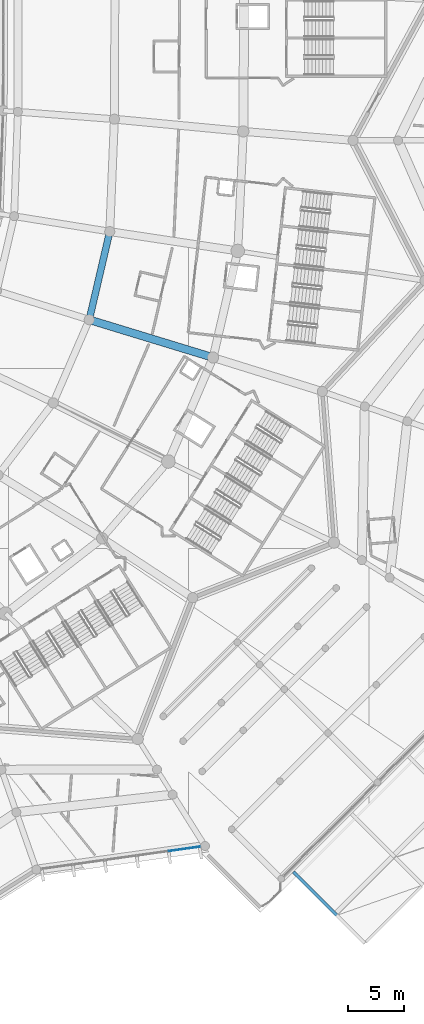
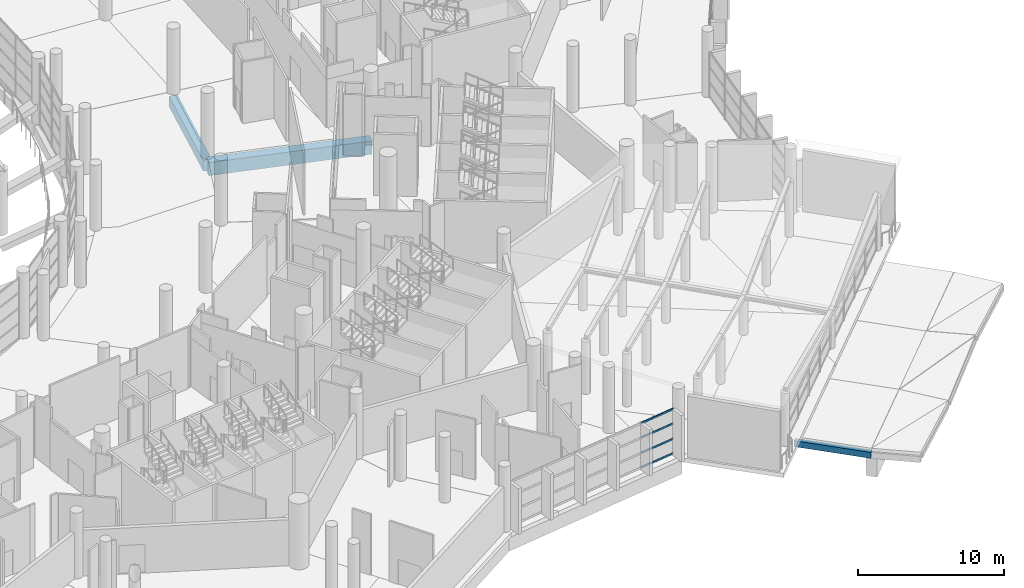
# One storey, part 49 of 271: 4 members, 3 beams, 1 element without a shape of its own.
"""IFC4 building model written with IfcOpenShell, lengths in metres."""

from ifc_helpers import new_model, si_unit, direction, frame, origin, origin_2d, place, context, subcontext, project, spatial, rectangle, hollow_rectangle, extrude, material, layer, layer_set, material_profile, profile_set, type_object, element, aggregate, save


model = new_model("IFC4")

# Units and contexts
model_context = context("Model", 3, precision=1e-05, world=origin(), true_north=direction((0.0, 1.0)))
body_context = subcontext(model_context, "Body", "Model", "MODEL_VIEW")
ifc_project = project(units=[si_unit("LENGTHUNIT", "METRE"), si_unit("AREAUNIT", "SQUARE_METRE"), si_unit("VOLUMEUNIT", "CUBIC_METRE"), si_unit("PLANEANGLEUNIT", "RADIAN"), si_unit("MASSUNIT", "GRAM", prefix="KILO")], contexts=[model_context])

# Site, building, storey
site_placement = place(None, origin())
site = spatial("IfcSite", under=ifc_project, at=site_placement, CompositionType="ELEMENT")
building_placement = place(site_placement, origin())
building = spatial("IfcBuilding", under=site, at=building_placement, Name="Meseta Stadium", CompositionType="ELEMENT")
storey_placement = place(building_placement, frame((0.0, 0.0, 6.5)))
storey = spatial("IfcBuildingStorey", under=building, at=storey_placement, Name="L01", CompositionType="ELEMENT", Elevation=6.5)

# Beams
ifc_material_1 = material(Name="Steel S355", Category="steel")
ifc_material_profile_1 = material_profile(ifc_material_1, hollow_rectangle(XDim=0.300048828125, YDim=0.5, WallThickness=0.01611328125, at=origin_2d()), Name="RHS 500x300x16")
ifc_profile_set_1 = profile_set([ifc_material_profile_1], Name="Steel S355")
beam_type_1 = type_object("IfcBeamType", Name="Canopy girder RHS 500x300x16", PredefinedType="BEAM", material=ifc_profile_set_1)
beam_1_placement = place(storey_placement, frame((89.310302734375, -108.72509765625, -0.60009765625), z_axis=(0.70708438348, -0.707129178183, 0.0), x_axis=(0.707129178183, 0.70708438348, 0.0)))
element("IfcBeam", 1, at=beam_1_placement, inside=storey, type_object=beam_type_1, Name="Canopy girder back-span", PredefinedType="BEAM", context=body_context, shape_type="SweptSolid", body=[
    extrude(hollow_rectangle(XDim=0.300048828125, YDim=0.5, WallThickness=0.01611328125, at=origin_2d()), origin(), (0.0, 0.0, 1.0), 5.4501953125),
])
ifc_material_2 = material(Name="Concrete C40/50", Category="concrete")
ifc_material_profile_2 = material_profile(ifc_material_2, rectangle(XDim=0.60009765625, YDim=0.89990234375, at=origin_2d()), Name="RC 600x900")
ifc_profile_set_2 = profile_set([ifc_material_profile_2], Name="Concrete C40/50")
beam_type_2 = type_object("IfcBeamType", Name="RC beam 600x900", PredefinedType="BEAM", material=ifc_profile_set_2)
beam_2_placement = place(storey_placement, frame((71.169677734375, -59.67724609375, -0.800048828125), z_axis=(0.226697740265, 0.973965160855, 0.0), x_axis=(-0.973965160855, 0.226697740265, 0.0)))
element("IfcBeam", 2, at=beam_2_placement, inside=storey, type_object=beam_type_2, Name="L01 ring beam frame 55 line E", PredefinedType="BEAM", context=body_context, shape_type="SweptSolid", body=[
    extrude(rectangle(XDim=0.60009765625, YDim=0.89990234375, at=origin_2d()), origin(), (0.0, 0.0, 1.0), 8.039306640625),
])
ifc_material_3 = material(Name="Concrete C40/50", Category="concrete")
ifc_material_profile_3 = material_profile(ifc_material_3, rectangle(XDim=0.699951171875, YDim=1.10009765625, at=origin_2d()), Name="RC 700x1100")
ifc_profile_set_3 = profile_set([ifc_material_profile_3], Name="Concrete C40/50")
beam_type_3 = type_object("IfcBeamType", Name="RC beam 700x1100", PredefinedType="BEAM", material=ifc_profile_set_3)
beam_3_placement = place(storey_placement, frame((71.169677734375, -59.67724609375, -0.89990234375), z_axis=(0.956461260307, -0.291859311198, 0.0), x_axis=(0.291859311198, 0.956461260307, 0.0)))
element("IfcBeam", 3, at=beam_3_placement, inside=storey, type_object=beam_type_3, Name="L01 radial beam frame 55 line E to P", PredefinedType="BEAM", context=body_context, shape_type="SweptSolid", body=[
    extrude(rectangle(XDim=0.699951171875, YDim=1.10009765625, at=origin_2d()), origin(), (0.0, 0.0, 1.0), 11.500244140625),
])

# Curtain wall, members
ifc_material_4 = material(Name="Aluminium", Category="aluminium")
ifc_layer = layer(ifc_material_4, 0.199951171875)
ifc_layer_set = layer_set([ifc_layer], Name="Ring shopfront curtain wall")
curtain_wall_type = type_object("IfcCurtainWallType", Name="Ring shopfront curtain wall", PredefinedType="NOTDEFINED", material=ifc_layer_set)
curtain_wall_placement = place(storey_placement, origin())
curtain_wall = element("IfcCurtainWall", 4, at=curtain_wall_placement, inside=storey, type_object=curtain_wall_type, Name="Ring glazing L01 F51", PredefinedType="NOTDEFINED")
ifc_material_5 = material(Name="Aluminium", Category="aluminium")
ifc_material_profile_4 = material_profile(ifc_material_5, rectangle(XDim=0.06005859375, YDim=0.14990234375, at=origin_2d()), Name="CW 60x150")
ifc_profile_set_4 = profile_set([ifc_material_profile_4], Name="Aluminium")
member_type = type_object("IfcMemberType", Name="Ring CW transom 60x150", PredefinedType="USERDEFINED", material=ifc_profile_set_4)
member_1_placement = place(storey_placement, frame((78.25048828125, -106.87255859375, 0.074951171875), z_axis=(0.990348512046, 0.13859951186, 0.0), x_axis=(-0.13859951186, 0.990348512046, 0.0)))
member_1 = element("IfcMember", 5, at=member_1_placement, type_object=member_type, Name="CWR1 transom 5.1", ObjectType="TRANSOM", PredefinedType="USERDEFINED", context=body_context, shape_type="SweptSolid", body=[
    extrude(rectangle(XDim=0.06005859375, YDim=0.14990234375, at=origin_2d()), origin(), (0.0, 0.0, 1.0), 2.7744140625),
])
member_2_placement = place(storey_placement, frame((78.25048828125, -106.87255859375, 1.283447265625), z_axis=(0.990348512046, 0.13859951186, 0.0), x_axis=(-0.13859951186, 0.990348512046, 0.0)))
member_2 = element("IfcMember", 6, at=member_2_placement, type_object=member_type, Name="CWR1 transom 5.2", ObjectType="TRANSOM", PredefinedType="USERDEFINED", context=body_context, shape_type="SweptSolid", body=[
    extrude(rectangle(XDim=0.06005859375, YDim=0.14990234375, at=origin_2d()), origin(), (0.0, 0.0, 1.0), 2.7744140625),
])
member_3_placement = place(storey_placement, frame((78.25048828125, -106.87255859375, 2.566650390625), z_axis=(0.990348512046, 0.13859951186, 0.0), x_axis=(-0.13859951186, 0.990348512046, 0.0)))
member_3 = element("IfcMember", 7, at=member_3_placement, type_object=member_type, Name="CWR1 transom 5.3", ObjectType="TRANSOM", PredefinedType="USERDEFINED", context=body_context, shape_type="SweptSolid", body=[
    extrude(rectangle(XDim=0.06005859375, YDim=0.14990234375, at=origin_2d()), origin(), (0.0, 0.0, 1.0), 2.7744140625),
])
member_4_placement = place(storey_placement, frame((78.25048828125, -106.87255859375, 3.77490234375), z_axis=(0.990348512046, 0.13859951186, 0.0), x_axis=(-0.13859951186, 0.990348512046, 0.0)))
member_4 = element("IfcMember", 8, at=member_4_placement, type_object=member_type, Name="CWR1 transom 5.4", ObjectType="TRANSOM", PredefinedType="USERDEFINED", context=body_context, shape_type="SweptSolid", body=[
    extrude(rectangle(XDim=0.06005859375, YDim=0.14990234375, at=origin_2d()), origin(), (0.0, 0.0, 1.0), 2.7744140625),
])
aggregate(curtain_wall, [member_1, member_2, member_3, member_4])

save(model, "model.ifc")
